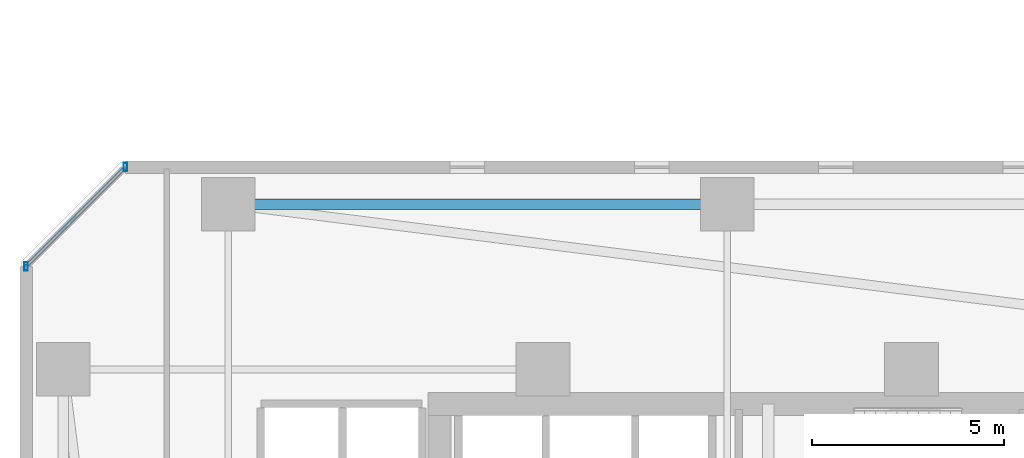
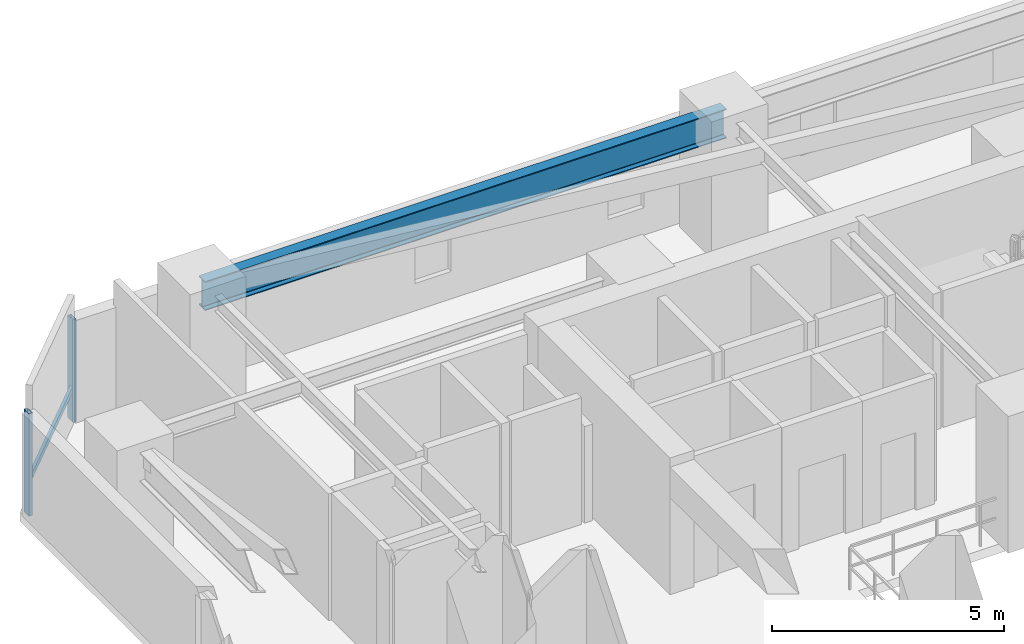
# One storey, part 8 of 34: 3 members, 1 beam, 1 element without a shape of its own.
"""IFC4 building model written with IfcOpenShell, lengths in metres."""

import ifcopenshell
import ifcopenshell.guid

model = None  # the IFC model being written
_history = None  # IfcOwnerHistory: only IFC2X3 demands one
_inside = {}  # id of a spatial element -> (the spatial element, [elements in it])
_under = {}  # id of a project, library or spatial element -> (it, [spatial elements below it])
_declared = {}  # id of a project -> (the project, [libraries it declares])
_typed = {}  # id of a type object -> (the type object, [elements of that type])
_made_of = {}  # id of a material, layer set ... -> (it, [elements and type objects made of it])


def new_model(schema):
    """Start an empty IFC model of exactly this schema.

    Asked for "IFC4X3", IfcOpenShell would pick the latest addendum, in which some entities
    have other attributes; the version numbers below select the first issue.
    IFC2X3 requires an IfcOwnerHistory on every rooted entity: one is made here for all.
    """
    global model, _history
    if schema == "IFC4X3":
        model = ifcopenshell.file(schema_version=(4, 3, 0, 0))
    else:
        model = ifcopenshell.file(schema=schema)
    _inside.clear()
    _under.clear()
    _declared.clear()
    _typed.clear()
    _made_of.clear()
    _history = None
    if model.schema == "IFC2X3":
        org = make("IfcOrganization", Name="unknown")
        user = make(
            "IfcPersonAndOrganization",
            ThePerson=make("IfcPerson", FamilyName="unknown"),
            TheOrganization=org,
        )
        app = make(
            "IfcApplication",
            ApplicationDeveloper=org,
            Version="unknown",
            ApplicationFullName="unknown",
            ApplicationIdentifier="unknown",
        )
        _history = make(
            "IfcOwnerHistory",
            OwningUser=user,
            OwningApplication=app,
            ChangeAction="ADDED",
            CreationDate=0,
        )
    return model


def make(cls, **values):
    """One entity of the class cls with the attributes given. An attribute that is None is left unset."""
    return model.create_entity(
        cls, **{name: value for name, value in values.items() if value is not None}
    )


def rooted(cls, **values):
    """An entity with a GlobalId (a new one), such as an element, a storey or a relation."""
    return make(cls, GlobalId=ifcopenshell.guid.new(), OwnerHistory=_history, **values)


def si_unit(unit_type, name, prefix=None):
    """IfcSIUnit, for example si_unit("LENGTHUNIT", "METRE", prefix="MILLI")."""
    return make("IfcSIUnit", UnitType=unit_type, Prefix=prefix, Name=name)


def assignment(units):
    """IfcUnitAssignment: the units of a project."""
    return None if units is None else make("IfcUnitAssignment", Units=units)


def point(xyz):
    """IfcCartesianPoint."""
    return None if xyz is None else make("IfcCartesianPoint", Coordinates=xyz)


def direction(xyz):
    """IfcDirection."""
    return None if xyz is None else make("IfcDirection", DirectionRatios=xyz)


def frame(location, z_axis=None, x_axis=None):
    """IfcAxis2Placement3D, a coordinate frame: its origin and axes. An axis left out is left unset."""
    return make(
        "IfcAxis2Placement3D",
        Location=point(location),
        Axis=direction(z_axis),
        RefDirection=direction(x_axis),
    )


def frame_2d(location, x_axis=None):
    """IfcAxis2Placement2D, a coordinate frame in the plane: its origin and x axis."""
    return make(
        "IfcAxis2Placement2D", Location=point(location), RefDirection=direction(x_axis)
    )


def origin():
    """The frame at (0, 0, 0) with its axes left unset."""
    return frame((0.0, 0.0, 0.0))


def origin_2d():
    """The frame at (0, 0) in the plane with its x axis left unset."""
    return frame_2d((0.0, 0.0))


def place(relative_to, where):
    """IfcLocalPlacement: puts the frame where relative to a parent placement (None: the world)."""
    return make(
        "IfcLocalPlacement", PlacementRelTo=relative_to, RelativePlacement=where
    )


def context(
    kind, dimensions, precision=None, world=None, true_north=None, identifier=None
):
    """IfcGeometricRepresentationContext, for example the 3D "Model" context."""
    return make(
        "IfcGeometricRepresentationContext",
        ContextIdentifier=identifier,
        ContextType=kind,
        CoordinateSpaceDimension=dimensions,
        Precision=precision,
        WorldCoordinateSystem=world,
        TrueNorth=true_north,
    )


def subcontext(parent, identifier, kind, view, scale=None):
    """IfcGeometricRepresentationSubContext, for example "Body" below "Model"."""
    return make(
        "IfcGeometricRepresentationSubContext",
        ContextIdentifier=identifier,
        ContextType=kind,
        ParentContext=parent,
        TargetScale=scale,
        TargetView=view,
    )


def project(units=None, contexts=None):
    """IfcProject with its units and contexts."""
    return rooted(
        "IfcProject",
        Name="project",
        RepresentationContexts=contexts,
        UnitsInContext=assignment(units),
    )


def spatial(cls, under=None, at=None, **own):
    """A site, building, storey or space (cls), placed at a placement, below another one or the project."""
    s = rooted(cls, ObjectPlacement=at, **own)
    if under is not None:
        _under.setdefault(under.id(), (under, []))[1].append(s)
    return s


def profile(cls, at=None, kind="AREA", **sizes):
    """A parametric profile (cls). Its sizes go by their IFC names, for example OverallWidth=200.0."""
    return make(cls, ProfileType=kind, Position=at, **sizes)


def hollow_rectangle(**sizes):
    """IfcRectangleHollowProfileDef."""
    return profile("IfcRectangleHollowProfileDef", **sizes)


def i_section(**sizes):
    """IfcIShapeProfileDef."""
    return profile("IfcIShapeProfileDef", **sizes)


def extrude(swept, where, along, depth):
    """IfcExtrudedAreaSolid: the profile swept, set in the frame where, extruded along a direction by depth."""
    return make(
        "IfcExtrudedAreaSolid",
        SweptArea=swept,
        Position=where,
        ExtrudedDirection=direction(along),
        Depth=depth,
    )


def shape(context_of_items, identifier, shape_type, items):
    """IfcShapeRepresentation: the items that make up one representation, for example the "Body"."""
    return make(
        "IfcShapeRepresentation",
        ContextOfItems=context_of_items,
        RepresentationIdentifier=identifier,
        RepresentationType=shape_type,
        Items=items,
    )


def material(Name=None, Category=None):
    """IfcMaterial."""
    return make("IfcMaterial", Name=Name, Category=Category)


def material_profile(
    of_material, cross_section, Name=None, Category=None, Priority=None
):
    """IfcMaterialProfile: a cross section and its material."""
    return make(
        "IfcMaterialProfile",
        Name=Name,
        Material=of_material,
        Profile=cross_section,
        Priority=Priority,
        Category=Category,
    )


def profile_set(profiles, Name=None, composite=None):
    """IfcMaterialProfileSet."""
    return make(
        "IfcMaterialProfileSet",
        Name=Name,
        MaterialProfiles=profiles,
        CompositeProfile=composite,
    )


def made_of(thing, what):
    """Note that an element or type object is made of a material, layer set ...; save() writes the relation."""
    if what is not None:
        _made_of.setdefault(what.id(), (what, []))[1].append(thing)
    return thing


def type_object(cls, material=None, **own):
    """A type object (cls), such as IfcWallType, which elements share."""
    return made_of(rooted(cls, **own), material)


def element(
    cls,
    number,
    at=None,
    inside=None,
    cuts=None,
    type_object=None,
    material=None,
    context=None,
    identifier="Body",
    shape_type=None,
    held_by="IfcProductDefinitionShape",
    body=None,
    shapes=None,
    **own,
):
    """One element of the class cls, such as IfcWall. Its Tag is "e" and its number.

    at: its placement. inside: the storey or other place that contains it. cuts: it is an
    opening in that element (IfcRelVoidsElement). A single representation is given by context,
    identifier, shape_type and body (its items); several are given by shapes. held_by: the class
    of the entity that holds the representations. save() writes the other relations.
    """
    e = rooted(cls, Tag="e%d" % number, ObjectPlacement=at, **own)
    if body is not None:
        shapes = [shape(context, identifier, shape_type, body)]
    if shapes is not None:
        e.Representation = make(held_by, Representations=shapes)
    if inside is not None:
        _inside.setdefault(inside.id(), (inside, []))[1].append(e)
    if cuts is not None:
        rooted(
            "IfcRelVoidsElement", RelatingBuildingElement=cuts, RelatedOpeningElement=e
        )
    if type_object is not None:
        _typed.setdefault(type_object.id(), (type_object, []))[1].append(e)
    return made_of(e, material)


def aggregate(whole, parts):
    """IfcRelAggregates: a whole, such as a stair, and the parts it consists of."""
    return rooted("IfcRelAggregates", RelatingObject=whole, RelatedObjects=parts)


def save(model, path):
    """Write the relations noted so far, then the file.

    IfcRelAggregates (storeys below a building ...), IfcRelContainedInSpatialStructure (elements
    in a storey), IfcRelDefinesByType, IfcRelAssociatesMaterial and IfcRelDeclares: one each for
    every whole, place, type object, material and project.
    """
    for whole, parts in _under.values():
        aggregate(whole, parts)
    for where, things in _inside.values():
        rooted(
            "IfcRelContainedInSpatialStructure",
            RelatedElements=things,
            RelatingStructure=where,
        )
    for kind, things in _typed.values():
        rooted("IfcRelDefinesByType", RelatedObjects=things, RelatingType=kind)
    for what, things in _made_of.values():
        rooted("IfcRelAssociatesMaterial", RelatedObjects=things, RelatingMaterial=what)
    for by, libraries in _declared.values():
        rooted("IfcRelDeclares", RelatingContext=by, RelatedDefinitions=libraries)
    model.write(path)


model = new_model("IFC4")

# Units and contexts
model_context = context("Model", 3, precision=1e-05, world=origin(), true_north=direction((0.0, 1.0)))
body_context = subcontext(model_context, "Body", "Model", "MODEL_VIEW")
ifc_project = project(units=[si_unit("LENGTHUNIT", "METRE"), si_unit("AREAUNIT", "SQUARE_METRE"), si_unit("VOLUMEUNIT", "CUBIC_METRE"), si_unit("PLANEANGLEUNIT", "RADIAN"), si_unit("MASSUNIT", "GRAM", prefix="KILO")], contexts=[model_context])

# Site, building, storey
site_placement = place(None, origin())
site = spatial("IfcSite", under=ifc_project, at=site_placement, CompositionType="ELEMENT")
building_placement = place(site_placement, origin())
building = spatial("IfcBuilding", under=site, at=building_placement, Name="Thornwick Lancets Civic Towers", CompositionType="ELEMENT")
storey_placement = place(building_placement, frame((0.0, 0.0, 53.699951171875)))
storey = spatial("IfcBuildingStorey", under=building, at=storey_placement, Name="L13", CompositionType="ELEMENT", Elevation=53.699951171875)

# Beam
ifc_material_1 = material(Name="Steel S355JR", Category="steel")
ifc_material_profile_1 = material_profile(ifc_material_1, i_section(OverallWidth=0.26806640625, OverallDepth=0.769775390625, WebThickness=0.015625, FlangeThickness=0.025390625, FilletRadius=0.0166015625, at=origin_2d()), Name="UKB 762x267x197")
ifc_profile_set_1 = profile_set([ifc_material_profile_1], Name="Steel S355JR")
beam_type = type_object("IfcBeamType", Name="BM_GIRD_762_197", PredefinedType="BEAM", material=ifc_profile_set_1)
beam_placement = place(storey_placement, frame((12.5, 44.300048828125, 2.97509765625), z_axis=(1.0, 0.0, 0.0), x_axis=(0.0, 1.0, 0.0)))
element("IfcBeam", 1, at=beam_placement, inside=storey, type_object=beam_type, Name="BM-SPINE-L13-A-6-7", PredefinedType="BEAM", context=body_context, shape_type="SweptSolid", body=[
    extrude(i_section(OverallWidth=0.26806640625, OverallDepth=0.769775390625, WebThickness=0.015625, FlangeThickness=0.025390625, FilletRadius=0.0166015625, at=origin_2d()), origin(), (0.0, 0.0, 1.0), 13.0),
])

# Curtain wall, members
ifc_material_2 = material(Name="Low-zone chamfered-corner unitised glass curtain wall", Category="glass")
curtain_wall_type = type_object("IfcCurtainWallType", Name="CW_SYS_03", PredefinedType="NOTDEFINED", material=ifc_material_2)
curtain_wall_placement = place(storey_placement, origin())
curtain_wall = element("IfcCurtainWall", 2, at=curtain_wall_placement, inside=storey, type_object=curtain_wall_type, Name="L13 Curtain Wall CW-L13-A-E5", PredefinedType="NOTDEFINED")
ifc_material_3 = material(Name="Thermally broken bronze aluminium S355", Category="steel")
ifc_material_profile_2 = material_profile(ifc_material_3, hollow_rectangle(XDim=0.090087890625, YDim=0.219970703125, WallThickness=0.00634765625, at=origin_2d()), Name="RHS 220x90x6.3")
ifc_profile_set_2 = profile_set([ifc_material_profile_2], Name="Thermally broken bronze aluminium S355")
member_type_1 = type_object("IfcMemberType", Name="CW_MUL_220", PredefinedType="MULLION", material=ifc_profile_set_2)
member_1_placement = place(storey_placement, frame((9.81884765625, 45.264892578125, 0.0), z_axis=(0.0, 0.0, 1.0), x_axis=(1.0, 0.0, 0.0)))
member_1 = element("IfcMember", 3, at=member_1_placement, type_object=member_type_1, Name="CW-L13-A-E5 Mullion 0", PredefinedType="MULLION", context=body_context, shape_type="SweptSolid", body=[
    extrude(hollow_rectangle(XDim=0.090087890625, YDim=0.219970703125, WallThickness=0.00634765625, at=origin_2d()), origin(), (0.0, 0.0, 1.0), 2.699951171875),
])
member_2_placement = place(storey_placement, frame((7.235107421875, 42.68115234375, 0.0), z_axis=(0.0, 0.0, 1.0), x_axis=(1.0, 0.0, 0.0)))
member_2 = element("IfcMember", 4, at=member_2_placement, type_object=member_type_1, Name="CW-L13-A-E5 Mullion 1", PredefinedType="MULLION", context=body_context, shape_type="SweptSolid", body=[
    extrude(hollow_rectangle(XDim=0.090087890625, YDim=0.219970703125, WallThickness=0.00634765625, at=origin_2d()), origin(), (0.0, 0.0, 1.0), 2.699951171875),
])
ifc_material_profile_3 = material_profile(ifc_material_3, hollow_rectangle(XDim=0.074951171875, YDim=0.14990234375, WallThickness=0.0048828125, at=origin_2d()), Name="RHS 150x75x5")
ifc_profile_set_3 = profile_set([ifc_material_profile_3], Name="Thermally broken bronze aluminium S355")
member_type_2 = type_object("IfcMemberType", Name="CW_TRN_150", PredefinedType="USERDEFINED", material=ifc_profile_set_3)
member_3_placement = place(storey_placement, frame((9.8046875, 45.250732421875, 0.85009765625), z_axis=(-0.707106781187, -0.707106781187, 0.0), x_axis=(0.707106781187, -0.707106781187, 0.0)))
member_3 = element("IfcMember", 5, at=member_3_placement, type_object=member_type_2, Name="CW-L13-A-E5 Transom 0", ObjectType="TRANSOM", PredefinedType="USERDEFINED", context=body_context, shape_type="SweptSolid", body=[
    extrude(hollow_rectangle(XDim=0.074951171875, YDim=0.14990234375, WallThickness=0.0048828125, at=origin_2d()), origin(), (0.0, 0.0, 1.0), 3.614013671875),
])
aggregate(curtain_wall, [member_1, member_2, member_3])

save(model, "model.ifc")
